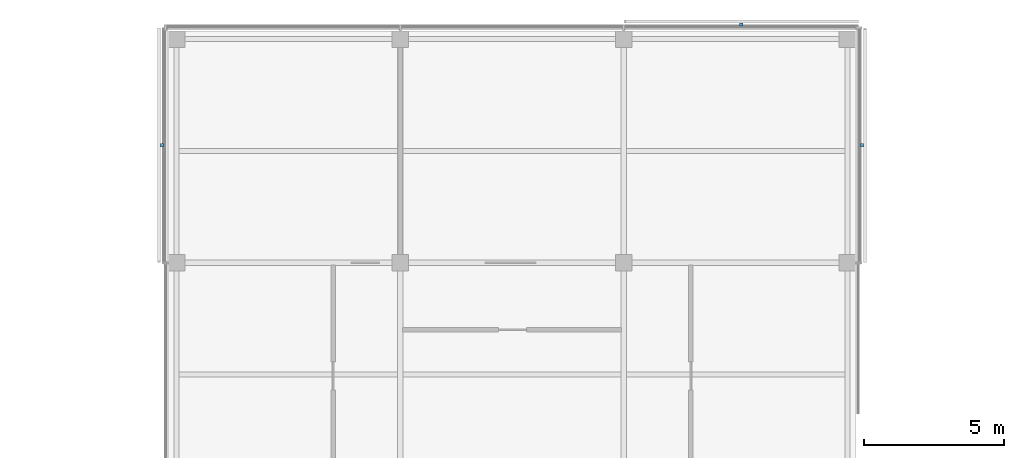
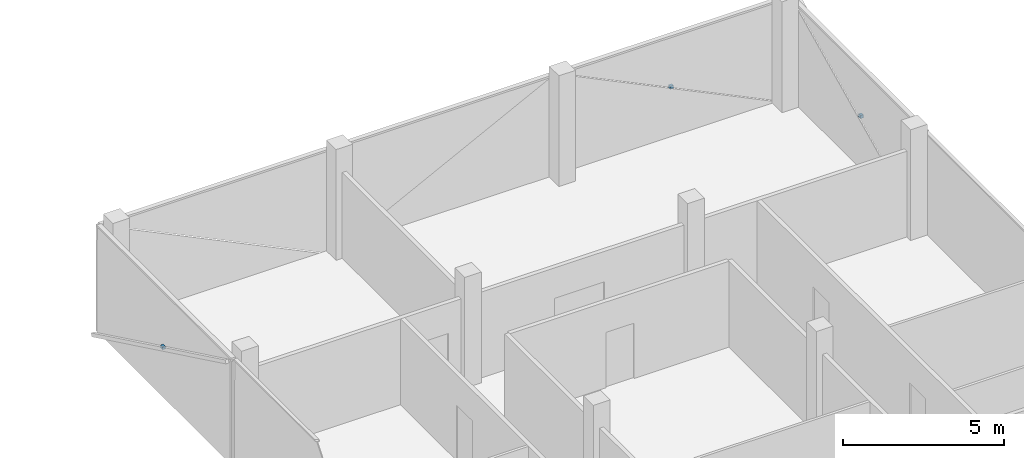
# One storey, part 15 of 16: 3 discrete accessories.
"""IFC4 building model written with IfcOpenShell, lengths in metres."""

from ifc_helpers import new_model, si_unit, direction, frame, origin, origin_2d, place, context, subcontext, project, spatial, rectangle, extrude, material, type_object, element, save


model = new_model("IFC4")

# Units and contexts
model_context = context("Model", 3, precision=1e-05, world=origin(), true_north=direction((0.0, 1.0)))
body_context = subcontext(model_context, "Body", "Model", "MODEL_VIEW")
ifc_project = project(units=[si_unit("LENGTHUNIT", "METRE"), si_unit("AREAUNIT", "SQUARE_METRE"), si_unit("VOLUMEUNIT", "CUBIC_METRE"), si_unit("PLANEANGLEUNIT", "RADIAN"), si_unit("MASSUNIT", "GRAM", prefix="KILO")], contexts=[model_context])

# Site, building, storey
site_placement = place(None, origin())
site = spatial("IfcSite", under=ifc_project, at=site_placement, CompositionType="ELEMENT")
building_placement = place(site_placement, origin())
building = spatial("IfcBuilding", under=site, at=building_placement, Name="Crosswind Convention Tower", CompositionType="ELEMENT")
storey_placement = place(building_placement, frame((0.0, 0.0, 299.699951171875)))
storey = spatial("IfcBuildingStorey", under=building, at=storey_placement, Name="L65", CompositionType="ELEMENT", Elevation=299.699951171875)

# Discrete accessories
ifc_material = material(Name="Stainless steel", Category="steel")
discrete_accessory_type = type_object("IfcDiscreteAccessoryType", Name="BAGUETTE BRACKET BK3", PredefinedType="BRACKET", material=ifc_material)
for number, where, z_axis, x_axis, name in (
    (1, (137.52587890625, 124.205078125, 1.655029296875), (0.0, 0.0, 1.0), (0.0, 1.0, 0.0), "BK3 baguette bracket"),
    (2, (133.205078125, 128.52587890625, 1.655029296875), (0.0, 0.0, 1.0), (-1.0, 0.0, 0.0), "BK3 baguette bracket"),
    (3, (112.47412109375, 124.205078125, 1.655029296875), (0.0, 0.0, 1.0), (0.0, -1.0, 0.0), "BK3 baguette bracket"),
):
    element("IfcDiscreteAccessory", number, at=place(storey_placement, frame(where, z_axis=z_axis, x_axis=x_axis)), inside=storey, type_object=discrete_accessory_type, Name=name, PredefinedType="BRACKET", context=body_context, shape_type="SweptSolid", body=[
        extrude(rectangle(XDim=0.1201171875, YDim=0.10009765625, at=origin_2d()), origin(), (0.0, 0.0, 1.0), 0.1201171875),
    ])

save(model, "model.ifc")
